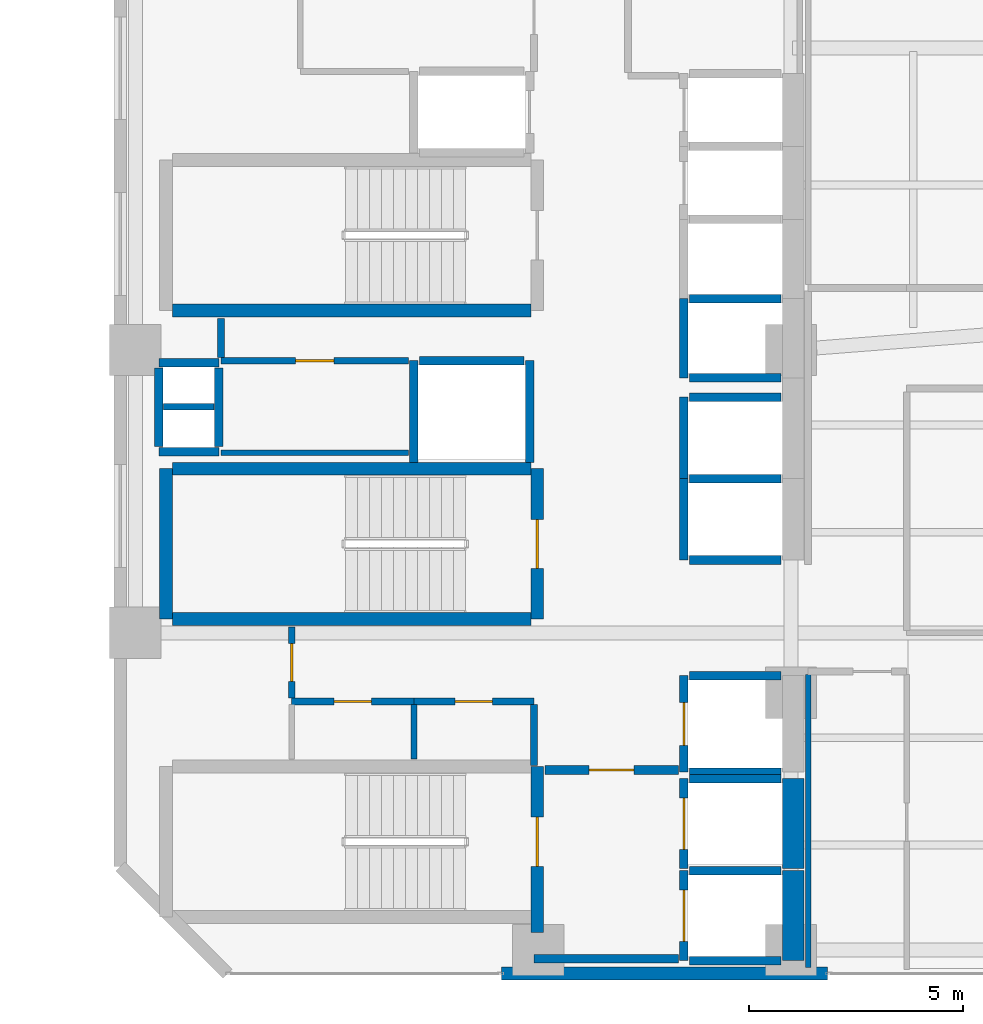
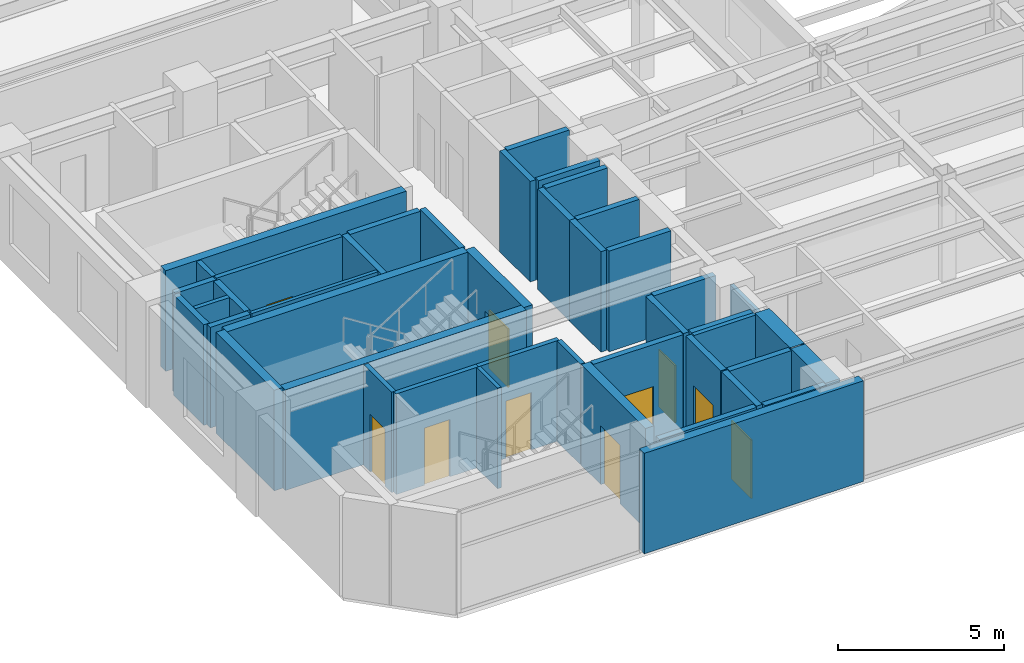
# One storey, part 9 of 15: 44 walls, 10 doors, 10 openings.
"""IFC4 building model written with IfcOpenShell, lengths in metres."""

from ifc_helpers import new_model, si_unit, direction, frame, frame_2d, origin, place, context, subcontext, project, spatial, rectangle, extrude, material, layer, layer_set, type_object, element, fill, save


model = new_model("IFC4")

# Units and contexts
model_context = context("Model", 3, precision=1e-05, world=origin(), true_north=direction((0.0, 1.0)))
body_context = subcontext(model_context, "Body", "Model", "MODEL_VIEW")
ifc_project = project(units=[si_unit("LENGTHUNIT", "METRE"), si_unit("AREAUNIT", "SQUARE_METRE"), si_unit("VOLUMEUNIT", "CUBIC_METRE"), si_unit("PLANEANGLEUNIT", "RADIAN"), si_unit("MASSUNIT", "GRAM", prefix="KILO")], contexts=[model_context])

# Site, building, storey
site_placement = place(None, origin())
site = spatial("IfcSite", under=ifc_project, at=site_placement, CompositionType="ELEMENT")
building_placement = place(site_placement, origin())
building = spatial("IfcBuilding", under=site, at=building_placement, Name="Mawjaban Terraces University", CompositionType="ELEMENT")
storey_placement = place(building_placement, frame((0.0, 0.0, 142.39990234375)))
storey = spatial("IfcBuildingStorey", under=building, at=storey_placement, Name="L34", CompositionType="ELEMENT", Elevation=142.39990234375)

# Walls
ifc_material_1 = material(Name="Concrete C60/75", Category="concrete")
ifc_layer_1 = layer(ifc_material_1, 0.5)
ifc_layer_set_1 = layer_set([ifc_layer_1], Name="Concrete C60/75")
wall_type_1 = type_object("IfcWallType", Name="CoreShearWall_500", PredefinedType="SHEAR", material=ifc_layer_set_1)
wall_1_placement = place(storey_placement, frame((37.699951171875, 0.300048828125, 0.0), z_axis=(0.0, 0.0, 1.0), x_axis=(0.0, 1.0, 0.0)))
element("IfcWall", 1, at=wall_1_placement, inside=storey, type_object=wall_type_1, Name="L34 Lift FL-1 Hoistway Wall East", PredefinedType="SHEAR", context=body_context, shape_type="SweptSolid", body=[
    extrude(rectangle(XDim=2.099853515625, YDim=0.5, at=frame_2d((1.0498046875, 0.0))), origin(), (0.0, 0.0, 1.0), 3.690185546875),
])
wall_2_placement = place(storey_placement, frame((37.699951171875, 2.449951171875, 0.0), z_axis=(0.0, 0.0, 1.0), x_axis=(0.0, 1.0, 0.0)))
element("IfcWall", 2, at=wall_2_placement, inside=storey, type_object=wall_type_1, Name="L34 Lift FL-2 Hoistway Wall East", PredefinedType="SHEAR", context=body_context, shape_type="SweptSolid", body=[
    extrude(rectangle(XDim=2.10009765625, YDim=0.5, at=frame_2d((1.050048828125, 0.0))), origin(), (0.0, 0.0, 1.0), 3.690185546875),
])

# Wall, opening, door
ifc_material_2 = material(Name="Fire-rated gypsum board on steel stud", Category="steel")
ifc_layer_2 = layer(ifc_material_2, 0.159912109375)
ifc_layer_set_2 = layer_set([ifc_layer_2], Name="Fire-rated gypsum board on steel stud")
wall_type_2 = type_object("IfcWallType", Name="CorridorPartition_160", PredefinedType="PARTITIONING", material=ifc_layer_set_2)
wall_3_placement = place(storey_placement, frame((24.35009765625, 14.300048828125, 0.0), z_axis=(0.0, 0.0, 1.0), x_axis=(1.0, 0.0, 0.0)))
wall_3 = element("IfcWall", 3, at=wall_3_placement, inside=storey, type_object=wall_type_2, Name="L34 Core Riser Access Passage Partition 2", PredefinedType="PARTITIONING", context=body_context, shape_type="SweptSolid", body=[
    extrude(rectangle(XDim=4.369873046875, YDim=0.159912109375, at=frame_2d((2.18505859375, 0.0))), origin(), (0.0, 0.0, 1.0), 3.690185546875),
])
opening_1_placement = place(wall_3_placement, frame((1.735107421875, 0.0, 0.0)))
opening_1 = element("IfcOpeningElement", 4, at=opening_1_placement, cuts=wall_3, Name="Opening ID-090", PredefinedType="OPENING", context=body_context, shape_type="SweptSolid", body=[
    extrude(rectangle(XDim=0.89990234375, YDim=2.10009765625, at=frame_2d((0.449951171875, 1.050048828125))), frame((0.0, 0.08984375, 0.0), z_axis=(0.0, -1.0, 0.0), x_axis=(1.0, 0.0, 0.0)), (0.0, 0.0, 1.0), 0.179931640625),
])
ifc_material_3 = material(Name="Powder-coated steel frame and solid acoustic timber leaf", Category="steel")
door_type_1 = type_object("IfcDoorType", Name="OfficeDoor_900x2100", OperationType="NOTDEFINED", PredefinedType="DOOR", material=ifc_material_3)
door_1_placement = place(opening_1_placement, origin())
door_1 = element("IfcDoor", 5, at=door_1_placement, inside=storey, type_object=door_type_1, Name="L34 Cleaner Store Door", OperationType="SINGLE_SWING_RIGHT", OverallHeight=2.10009765625, OverallWidth=0.89990234375, PredefinedType="DOOR", context=body_context, shape_type="SweptSolid", body=[
    extrude(rectangle(XDim=0.89990234375, YDim=2.10009765625, at=frame_2d((0.449951171875, 1.050048828125))), frame((0.0, 0.02490234375, 0.0), z_axis=(0.0, -1.0, 0.0), x_axis=(1.0, 0.0, 0.0)), (0.0, 0.0, 1.0), 0.050048828125),
])
fill(opening_1, door_1)

wall_4_placement = place(storey_placement, frame((26.0, 6.35009765625, 0.0), z_axis=(0.0, 0.0, 1.0), x_axis=(1.0, 0.0, 0.0)))
wall_4 = element("IfcWall", 6, at=wall_4_placement, inside=storey, type_object=wall_type_2, Name="L34 Core Washroom Lobby Partition 3", PredefinedType="PARTITIONING", context=body_context, shape_type="SweptSolid", body=[
    extrude(rectangle(XDim=2.85009765625, YDim=0.159912109375, at=frame_2d((1.425048828125, 0.0))), origin(), (0.0, 0.0, 1.0), 3.690185546875),
])
opening_2_placement = place(wall_4_placement, frame((0.985107421875, 0.0, 0.0)))
opening_2 = element("IfcOpeningElement", 7, at=opening_2_placement, cuts=wall_4, Name="Opening ID-088", PredefinedType="OPENING", context=body_context, shape_type="SweptSolid", body=[
    extrude(rectangle(XDim=0.8798828125, YDim=2.10009765625, at=frame_2d((0.43994140625, 1.050048828125))), frame((0.0, 0.08984375, 0.0), z_axis=(0.0, -1.0, 0.0), x_axis=(1.0, 0.0, 0.0)), (0.0, 0.0, 1.0), 0.179931640625),
])
door_type_2 = type_object("IfcDoorType", Name="ToiletDoor_880x2100", OperationType="NOTDEFINED", PredefinedType="DOOR", material=ifc_material_3)
door_2_placement = place(opening_2_placement, origin())
door_2 = element("IfcDoor", 8, at=door_2_placement, inside=storey, type_object=door_type_2, Name="L34 Male Toilet Door", OperationType="SINGLE_SWING_RIGHT", OverallHeight=2.10009765625, OverallWidth=0.8798828125, PredefinedType="DOOR", context=body_context, shape_type="SweptSolid", body=[
    extrude(rectangle(XDim=0.8798828125, YDim=2.10009765625, at=frame_2d((0.43994140625, 1.050048828125))), frame((0.0, 0.02490234375, 0.0), z_axis=(0.0, -1.0, 0.0), x_axis=(1.0, 0.0, 0.0)), (0.0, 0.0, 1.0), 0.050048828125),
])
fill(opening_2, door_2)

wall_5_placement = place(storey_placement, frame((28.85009765625, 6.35009765625, 0.0), z_axis=(0.0, 0.0, 1.0), x_axis=(1.0, 0.0, 0.0)))
wall_5 = element("IfcWall", 9, at=wall_5_placement, inside=storey, type_object=wall_type_2, Name="L34 Core Washroom Lobby Partition 6", PredefinedType="PARTITIONING", context=body_context, shape_type="SweptSolid", body=[
    extrude(rectangle(XDim=2.7998046875, YDim=0.159912109375, at=frame_2d((1.39990234375, 0.0))), origin(), (0.0, 0.0, 1.0), 3.690185546875),
])
opening_3_placement = place(wall_5_placement, frame((0.9599609375, 0.0, 0.0)))
opening_3 = element("IfcOpeningElement", 10, at=opening_3_placement, cuts=wall_5, Name="Opening ID-088", PredefinedType="OPENING", context=body_context, shape_type="SweptSolid", body=[
    extrude(rectangle(XDim=0.8798828125, YDim=2.10009765625, at=frame_2d((0.43994140625, 1.050048828125))), frame((0.0, 0.08984375, 0.0), z_axis=(0.0, -1.0, 0.0), x_axis=(1.0, 0.0, 0.0)), (0.0, 0.0, 1.0), 0.179931640625),
])
door_3_placement = place(opening_3_placement, origin())
door_3 = element("IfcDoor", 11, at=door_3_placement, inside=storey, type_object=door_type_2, Name="L34 Accessible Toilet Door", OperationType="SINGLE_SWING_LEFT", OverallHeight=2.10009765625, OverallWidth=0.8798828125, PredefinedType="DOOR", context=body_context, shape_type="SweptSolid", body=[
    extrude(rectangle(XDim=0.8798828125, YDim=2.10009765625, at=frame_2d((0.43994140625, 1.050048828125))), frame((0.0, 0.02490234375, 0.0), z_axis=(0.0, -1.0, 0.0), x_axis=(1.0, 0.0, 0.0)), (0.0, 0.0, 1.0), 0.050048828125),
])
fill(opening_3, door_3)

# Wall
wall_6_placement = place(storey_placement, frame((24.35009765625, 15.2900390625, 0.0), z_axis=(0.0, 0.0, 1.0), x_axis=(0.0, -1.0, 0.0)))
element("IfcWall", 12, at=wall_6_placement, inside=storey, type_object=wall_type_2, Name="L34 Core Riser Access Passage Partition 22", PredefinedType="PARTITIONING", context=body_context, shape_type="SweptSolid", body=[
    extrude(rectangle(XDim=0.9150390625, YDim=0.159912109375, at=frame_2d((0.45751953125, 0.0))), origin(), (0.0, 0.0, 1.0), 3.690185546875),
])

# Wall, opening, door
wall_7_placement = place(storey_placement, frame((26.0, 8.090087890625, 0.0), z_axis=(0.0, 0.0, 1.0), x_axis=(0.0, -1.0, 0.0)))
wall_7 = element("IfcWall", 13, at=wall_7_placement, inside=storey, type_object=wall_type_2, Name="L34 Core Washroom Lobby Partition 24", PredefinedType="PARTITIONING", context=body_context, shape_type="SweptSolid", body=[
    extrude(rectangle(XDim=1.6650390625, YDim=0.159912109375, at=frame_2d((0.83251953125, 0.0))), origin(), (0.0, 0.0, 1.0), 3.690185546875),
])
opening_4_placement = place(wall_7_placement, frame((0.39306640625, 0.0, 0.0)))
opening_4 = element("IfcOpeningElement", 14, at=opening_4_placement, cuts=wall_7, Name="Opening ID-088", PredefinedType="OPENING", context=body_context, shape_type="SweptSolid", body=[
    extrude(rectangle(XDim=0.8798828125, YDim=2.10009765625, at=frame_2d((0.43994140625, 1.050048828125))), frame((0.0, 0.08984375, 0.0), z_axis=(0.0, -1.0, 0.0), x_axis=(1.0, 0.0, 0.0)), (0.0, 0.0, 1.0), 0.179931640625),
])
door_4_placement = place(opening_4_placement, origin())
door_4 = element("IfcDoor", 15, at=door_4_placement, inside=storey, type_object=door_type_2, Name="L34 Ablution Room Door", OperationType="SINGLE_SWING_LEFT", OverallHeight=2.10009765625, OverallWidth=0.8798828125, PredefinedType="DOOR", context=body_context, shape_type="SweptSolid", body=[
    extrude(rectangle(XDim=0.8798828125, YDim=2.10009765625, at=frame_2d((0.43994140625, 1.050048828125))), frame((0.0, 0.02490234375, 0.0), z_axis=(0.0, -1.0, 0.0), x_axis=(1.0, 0.0, 0.0)), (0.0, 0.0, 1.0), 0.050048828125),
])
fill(opening_4, door_4)

# Walls
wall_8_placement = place(storey_placement, frame((31.64990234375, 4.860107421875, 0.0), z_axis=(0.0, 0.0, 1.0), x_axis=(0.0, 1.0, 0.0)))
element("IfcWall", 16, at=wall_8_placement, inside=storey, type_object=wall_type_2, Name="L34 Accessible Toilet Partition 27", PredefinedType="PARTITIONING", context=body_context, shape_type="SweptSolid", body=[
    extrude(rectangle(XDim=1.414794921875, YDim=0.159912109375, at=frame_2d((0.70751953125, 0.0))), origin(), (0.0, 0.0, 1.0), 3.690185546875),
])
ifc_material_4 = material(Name="Insulated terracotta rainscreen on concrete backup C40/50", Category="masonry")
ifc_layer_3 = layer(ifc_material_4, 0.300048828125)
ifc_layer_set_3 = layer_set([ifc_layer_3], Name="Insulated terracotta rainscreen on concrete backup C40/50")
wall_type_3 = type_object("IfcWallType", Name="ExtTerracottaWall_300", PredefinedType="SOLIDWALL", material=ifc_layer_set_3)
wall_9_placement = place(storey_placement, frame((30.89990234375, 0.0, 0.0), z_axis=(0.0, 0.0, 1.0), x_axis=(1.0, 0.0, 0.0)))
element("IfcWall", 17, at=wall_9_placement, inside=storey, type_object=wall_type_3, Name="L34 Exterior Terracotta Pier Wall 1.1", PredefinedType="SOLIDWALL", context=body_context, shape_type="SweptSolid", body=[
    extrude(rectangle(XDim=7.60009765625, YDim=0.300048828125, at=frame_2d((3.800048828125, 0.0))), origin(), (0.0, 0.0, 1.0), 3.690185546875),
])

# Wall, opening, door
ifc_material_5 = material(Name="Concrete C40/50", Category="concrete")
ifc_layer_4 = layer(ifc_material_5, 0.199951171875)
ifc_layer_set_4 = layer_set([ifc_layer_4], Name="Concrete C40/50")
wall_type_4 = type_object("IfcWallType", Name="FireLobbyWall_200", PredefinedType="SOLIDWALL", material=ifc_layer_set_4)
wall_10_placement = place(storey_placement, frame((35.14990234375, 2.39990234375, 0.0), z_axis=(0.0, 0.0, 1.0), x_axis=(0.0, -1.0, 0.0)))
wall_10 = element("IfcWall", 18, at=wall_10_placement, inside=storey, type_object=wall_type_4, Name="L34 Lift FL-1 Hoistway Wall West", PredefinedType="SOLIDWALL", context=body_context, shape_type="SweptSolid", body=[
    extrude(rectangle(XDim=2.099853515625, YDim=0.199951171875, at=frame_2d((1.0498046875, 0.0))), origin(), (0.0, 0.0, 1.0), 3.690185546875),
])
opening_5_placement = place(wall_10_placement, frame((0.449951171875, 0.0, 0.0)))
opening_5 = element("IfcOpeningElement", 19, at=opening_5_placement, cuts=wall_10, Name="Opening LD-FL-1", PredefinedType="OPENING", context=body_context, shape_type="SweptSolid", body=[
    extrude(rectangle(XDim=1.199951171875, YDim=2.14990234375, at=frame_2d((0.60009765625, 1.074951171875))), frame((0.0, 0.10986328125, 0.0), z_axis=(0.0, -1.0, 0.0), x_axis=(1.0, 0.0, 0.0)), (0.0, 0.0, 1.0), 0.219970703125),
])
ifc_material_6 = material(Name="Powder-coated steel frame and fire-rated steel-faced leaf", Category="steel")
door_type_3 = type_object("IfcDoorType", Name="LiftLandingFSAE_1200x2150", OperationType="NOTDEFINED", PredefinedType="DOOR", material=ifc_material_6)
door_5_placement = place(opening_5_placement, origin())
door_5 = element("IfcDoor", 20, at=door_5_placement, inside=storey, type_object=door_type_3, Name="L34 Lift FL-1 Sliding Landing Door", OperationType="DOUBLE_DOOR_SLIDING", OverallHeight=2.14990234375, OverallWidth=1.199951171875, PredefinedType="DOOR", context=body_context, shape_type="SweptSolid", body=[
    extrude(rectangle(XDim=1.199951171875, YDim=2.14990234375, at=frame_2d((0.60009765625, 1.074951171875))), frame((0.0, 0.02490234375, 0.0), z_axis=(0.0, -1.0, 0.0), x_axis=(1.0, 0.0, 0.0)), (0.0, 0.0, 1.0), 0.050048828125),
])
fill(opening_5, door_5)

# Walls
for number, where, z_axis, x_axis, name in (
    (21, (35.280029296875, 0.300048828125, 0.0), (0.0, 0.0, 1.0), (1.0, 0.0, 0.0), "L34 Lift FL-1 Hoistway Wall South"),
    (22, (37.419921875, 2.39990234375, 0.0), (0.0, 0.0, 1.0), (-1.0, 0.0, 0.0), "L34 Lift FL-1 Hoistway Wall North"),
):
    element("IfcWall", number, at=place(storey_placement, frame(where, z_axis=z_axis, x_axis=x_axis)), inside=storey, type_object=wall_type_4, Name=name, PredefinedType="SOLIDWALL", context=body_context, shape_type="SweptSolid", body=[
        extrude(rectangle(XDim=2.139892578125, YDim=0.199951171875, at=frame_2d((1.06982421875, 0.0))), origin(), (0.0, 0.0, 1.0), 3.690185546875),
    ])

# Wall, opening, door
wall_11_placement = place(storey_placement, frame((35.14990234375, 4.550048828125, 0.0), z_axis=(0.0, 0.0, 1.0), x_axis=(0.0, -1.0, 0.0)))
wall_11 = element("IfcWall", 23, at=wall_11_placement, inside=storey, type_object=wall_type_4, Name="L34 Lift FL-2 Hoistway Wall West", PredefinedType="SOLIDWALL", context=body_context, shape_type="SweptSolid", body=[
    extrude(rectangle(XDim=2.10009765625, YDim=0.199951171875, at=frame_2d((1.050048828125, 0.0))), origin(), (0.0, 0.0, 1.0), 3.690185546875),
])
opening_6_placement = place(wall_11_placement, frame((0.449951171875, 0.0, 0.0)))
opening_6 = element("IfcOpeningElement", 24, at=opening_6_placement, cuts=wall_11, Name="Opening LD-FL-2", PredefinedType="OPENING", context=body_context, shape_type="SweptSolid", body=[
    extrude(rectangle(XDim=1.199951171875, YDim=2.14990234375, at=frame_2d((0.60009765625, 1.074951171875))), frame((0.0, 0.10986328125, 0.0), z_axis=(0.0, -1.0, 0.0), x_axis=(1.0, 0.0, 0.0)), (0.0, 0.0, 1.0), 0.219970703125),
])
door_6_placement = place(opening_6_placement, origin())
door_6 = element("IfcDoor", 25, at=door_6_placement, inside=storey, type_object=door_type_3, Name="L34 Lift FL-2 Sliding Landing Door", OperationType="DOUBLE_DOOR_SLIDING", OverallHeight=2.14990234375, OverallWidth=1.199951171875, PredefinedType="DOOR", context=body_context, shape_type="SweptSolid", body=[
    extrude(rectangle(XDim=1.199951171875, YDim=2.14990234375, at=frame_2d((0.60009765625, 1.074951171875))), frame((0.0, 0.02490234375, 0.0), z_axis=(0.0, -1.0, 0.0), x_axis=(1.0, 0.0, 0.0)), (0.0, 0.0, 1.0), 0.050048828125),
])
fill(opening_6, door_6)

# Wall
wall_12_placement = place(storey_placement, frame((37.419921875, 4.550048828125, 0.0), z_axis=(0.0, 0.0, 1.0), x_axis=(-1.0, 0.0, 0.0)))
element("IfcWall", 26, at=wall_12_placement, inside=storey, type_object=wall_type_4, Name="L34 Lift FL-2 Hoistway Wall North", PredefinedType="SOLIDWALL", context=body_context, shape_type="SweptSolid", body=[
    extrude(rectangle(XDim=2.139892578125, YDim=0.199951171875, at=frame_2d((1.06982421875, 0.0))), origin(), (0.0, 0.0, 1.0), 3.690185546875),
])

# Wall, opening, door
wall_13_placement = place(storey_placement, frame((35.14990234375, 6.949951171875, 0.0), z_axis=(0.0, 0.0, 1.0), x_axis=(0.0, -1.0, 0.0)))
wall_13 = element("IfcWall", 27, at=wall_13_placement, inside=storey, type_object=wall_type_4, Name="L34 Lift SL-1 Hoistway Wall West", PredefinedType="SOLIDWALL", context=body_context, shape_type="SweptSolid", body=[
    extrude(rectangle(XDim=2.25, YDim=0.199951171875, at=frame_2d((1.125, 0.0))), origin(), (0.0, 0.0, 1.0), 3.690185546875),
])
opening_7_placement = place(wall_13_placement, frame((0.625, 0.0, 0.0)))
opening_7 = element("IfcOpeningElement", 28, at=opening_7_placement, cuts=wall_13, Name="Opening LD-SL-1", PredefinedType="OPENING", context=body_context, shape_type="SweptSolid", body=[
    extrude(rectangle(XDim=1.0, YDim=2.10009765625, at=frame_2d((0.5, 1.050048828125))), frame((0.0, 0.10986328125, 0.0), z_axis=(0.0, -1.0, 0.0), x_axis=(1.0, 0.0, 0.0)), (0.0, 0.0, 1.0), 0.219970703125),
])
door_type_4 = type_object("IfcDoorType", Name="LiftLandingSliding_1000x2100", OperationType="NOTDEFINED", PredefinedType="DOOR", material=ifc_material_6)
door_7_placement = place(opening_7_placement, origin())
door_7 = element("IfcDoor", 29, at=door_7_placement, inside=storey, type_object=door_type_4, Name="L34 Lift SL-1 Sliding Landing Door", OperationType="DOUBLE_DOOR_SLIDING", OverallHeight=2.10009765625, OverallWidth=1.0, PredefinedType="DOOR", context=body_context, shape_type="SweptSolid", body=[
    extrude(rectangle(XDim=1.0, YDim=2.10009765625, at=frame_2d((0.5, 1.050048828125))), frame((0.0, 0.02490234375, 0.0), z_axis=(0.0, -1.0, 0.0), x_axis=(1.0, 0.0, 0.0)), (0.0, 0.0, 1.0), 0.050048828125),
])
fill(opening_7, door_7)

# Walls
for number, where, z_axis, x_axis, name in (
    (30, (35.280029296875, 4.699951171875, 0.0), (0.0, 0.0, 1.0), (1.0, 0.0, 0.0), "L34 Lift SL-1 Hoistway Wall South"),
    (31, (37.419921875, 6.949951171875, 0.0), (0.0, 0.0, 1.0), (-1.0, 0.0, 0.0), "L34 Lift SL-1 Hoistway Wall North"),
):
    element("IfcWall", number, at=place(storey_placement, frame(where, z_axis=z_axis, x_axis=x_axis)), inside=storey, type_object=wall_type_4, Name=name, PredefinedType="SOLIDWALL", context=body_context, shape_type="SweptSolid", body=[
        extrude(rectangle(XDim=2.139892578125, YDim=0.199951171875, at=frame_2d((1.06982421875, 0.0))), origin(), (0.0, 0.0, 1.0), 3.690185546875),
    ])
wall_14_placement = place(storey_placement, frame((35.14990234375, 11.550048828125, 0.0), z_axis=(0.0, 0.0, 1.0), x_axis=(0.0, -1.0, 0.0)))
element("IfcWall", 32, at=wall_14_placement, inside=storey, type_object=wall_type_4, Name="L34 Lift PL-H1 Hoistway Wall West", PredefinedType="SOLIDWALL", context=body_context, shape_type="SweptSolid", body=[
    extrude(rectangle(XDim=1.900146484375, YDim=0.199951171875, at=frame_2d((0.9501953125, 0.0))), origin(), (0.0, 0.0, 1.0), 3.690185546875),
])
for number, where, z_axis, x_axis, name in (
    (33, (35.280029296875, 9.64990234375, 0.0), (0.0, 0.0, 1.0), (1.0, 0.0, 0.0), "L34 Lift PL-H1 Hoistway Wall South"),
    (34, (37.419921875, 11.550048828125, 0.0), (0.0, 0.0, 1.0), (-1.0, 0.0, 0.0), "L34 Lift PL-H1 Hoistway Wall North"),
):
    element("IfcWall", number, at=place(storey_placement, frame(where, z_axis=z_axis, x_axis=x_axis)), inside=storey, type_object=wall_type_4, Name=name, PredefinedType="SOLIDWALL", context=body_context, shape_type="SweptSolid", body=[
        extrude(rectangle(XDim=2.139892578125, YDim=0.199951171875, at=frame_2d((1.06982421875, 0.0))), origin(), (0.0, 0.0, 1.0), 3.690185546875),
    ])
wall_15_placement = place(storey_placement, frame((35.14990234375, 13.449951171875, 0.0), z_axis=(0.0, 0.0, 1.0), x_axis=(0.0, -1.0, 0.0)))
element("IfcWall", 35, at=wall_15_placement, inside=storey, type_object=wall_type_4, Name="L34 Lift PL-H2 Hoistway Wall West", PredefinedType="SOLIDWALL", context=body_context, shape_type="SweptSolid", body=[
    extrude(rectangle(XDim=1.89990234375, YDim=0.199951171875, at=frame_2d((0.949951171875, 0.0))), origin(), (0.0, 0.0, 1.0), 3.690185546875),
])
wall_16_placement = place(storey_placement, frame((37.419921875, 13.449951171875, 0.0), z_axis=(0.0, 0.0, 1.0), x_axis=(-1.0, 0.0, 0.0)))
element("IfcWall", 36, at=wall_16_placement, inside=storey, type_object=wall_type_4, Name="L34 Lift PL-H2 Hoistway Wall North", PredefinedType="SOLIDWALL", context=body_context, shape_type="SweptSolid", body=[
    extrude(rectangle(XDim=2.139892578125, YDim=0.199951171875, at=frame_2d((1.06982421875, 0.0))), origin(), (0.0, 0.0, 1.0), 3.690185546875),
])
for number, where, z_axis, x_axis, name in (
    (37, (28.85009765625, 14.300048828125, 0.0), (0.0, 0.0, 1.0), (0.0, -1.0, 0.0), "L34 Lift PL-H3 Hoistway Wall West"),
    (38, (31.550048828125, 11.929931640625, 0.0), (0.0, 0.0, 1.0), (0.0, 1.0, 0.0), "L34 Lift PL-H3 Hoistway Wall East"),
):
    element("IfcWall", number, at=place(storey_placement, frame(where, z_axis=z_axis, x_axis=x_axis)), inside=storey, type_object=wall_type_4, Name=name, PredefinedType="SOLIDWALL", context=body_context, shape_type="SweptSolid", body=[
        extrude(rectangle(XDim=2.3701171875, YDim=0.199951171875, at=frame_2d((1.18505859375, 0.0))), origin(), (0.0, 0.0, 1.0), 3.690185546875),
    ])
wall_17_placement = place(storey_placement, frame((31.419921875, 14.300048828125, 0.0), z_axis=(0.0, 0.0, 1.0), x_axis=(-1.0, 0.0, 0.0)))
element("IfcWall", 39, at=wall_17_placement, inside=storey, type_object=wall_type_4, Name="L34 Lift PL-H3 Hoistway Wall North", PredefinedType="SOLIDWALL", context=body_context, shape_type="SweptSolid", body=[
    extrude(rectangle(XDim=2.43994140625, YDim=0.199951171875, at=frame_2d((1.219970703125, 0.0))), origin(), (0.0, 0.0, 1.0), 3.690185546875),
])
wall_18_placement = place(storey_placement, frame((35.14990234375, 15.75, 0.0), z_axis=(0.0, 0.0, 1.0), x_axis=(0.0, -1.0, 0.0)))
element("IfcWall", 40, at=wall_18_placement, inside=storey, type_object=wall_type_4, Name="L34 Lift OL-1 Hoistway Wall West", PredefinedType="SOLIDWALL", context=body_context, shape_type="SweptSolid", body=[
    extrude(rectangle(XDim=1.85009765625, YDim=0.199951171875, at=frame_2d((0.925048828125, 0.0))), origin(), (0.0, 0.0, 1.0), 3.690185546875),
])
for number, where, z_axis, x_axis, name in (
    (41, (35.280029296875, 13.89990234375, 0.0), (0.0, 0.0, 1.0), (1.0, 0.0, 0.0), "L34 Lift OL-1 Hoistway Wall South"),
    (42, (37.419921875, 15.75, 0.0), (0.0, 0.0, 1.0), (-1.0, 0.0, 0.0), "L34 Lift OL-1 Hoistway Wall North"),
):
    element("IfcWall", number, at=place(storey_placement, frame(where, z_axis=z_axis, x_axis=x_axis)), inside=storey, type_object=wall_type_4, Name=name, PredefinedType="SOLIDWALL", context=body_context, shape_type="SweptSolid", body=[
        extrude(rectangle(XDim=2.139892578125, YDim=0.199951171875, at=frame_2d((1.06982421875, 0.0))), origin(), (0.0, 0.0, 1.0), 3.690185546875),
    ])
for number, where, z_axis, x_axis, name in (
    (43, (22.89990234375, 14.25, 0.0), (0.0, 0.0, 1.0), (1.0, 0.0, 0.0), "L34 MEP Riser Shaft Wall N"),
    (44, (22.89990234375, 12.179931640625, 0.0), (0.0, 0.0, 1.0), (1.0, 0.0, 0.0), "L34 MEP Riser Shaft Wall S"),
):
    element("IfcWall", number, at=place(storey_placement, frame(where, z_axis=z_axis, x_axis=x_axis)), inside=storey, type_object=wall_type_4, Name=name, PredefinedType="SOLIDWALL", context=body_context, shape_type="SweptSolid", body=[
        extrude(rectangle(XDim=1.400146484375, YDim=0.199951171875, at=frame_2d((0.7001953125, 0.0))), origin(), (0.0, 0.0, 1.0), 3.690185546875),
    ])
for number, where, z_axis, x_axis, name in (
    (45, (24.300048828125, 12.300048828125, 0.0), (0.0, 0.0, 1.0), (0.0, 1.0, 0.0), "L34 MEP Riser Shaft Wall E"),
    (46, (22.89990234375, 12.300048828125, 0.0), (0.0, 0.0, 1.0), (0.0, 1.0, 0.0), "L34 MEP Riser Shaft Wall W"),
):
    element("IfcWall", number, at=place(storey_placement, frame(where, z_axis=z_axis, x_axis=x_axis)), inside=storey, type_object=wall_type_4, Name=name, PredefinedType="SOLIDWALL", context=body_context, shape_type="SweptSolid", body=[
        extrude(rectangle(XDim=1.829833984375, YDim=0.199951171875, at=frame_2d((0.9150390625, 0.0))), origin(), (0.0, 0.0, 1.0), 3.690185546875),
    ])
wall_19_placement = place(storey_placement, frame((31.64990234375, 0.35009765625, 0.0), z_axis=(0.0, 0.0, 1.0), x_axis=(1.0, 0.0, 0.0)))
element("IfcWall", 47, at=wall_19_placement, inside=storey, type_object=wall_type_4, Name="L34 Firefighting Lift Lobby Partition 7", PredefinedType="SOLIDWALL", context=body_context, shape_type="SweptSolid", body=[
    extrude(rectangle(XDim=3.3701171875, YDim=0.199951171875, at=frame_2d((1.68505859375, 0.0))), origin(), (0.0, 0.0, 1.0), 3.690185546875),
])

# Wall, opening, door
wall_20_placement = place(storey_placement, frame((35.02001953125, 4.75, 0.0), z_axis=(0.0, 0.0, 1.0), x_axis=(-1.0, 0.0, 0.0)))
wall_20 = element("IfcWall", 48, at=wall_20_placement, inside=storey, type_object=wall_type_4, Name="L34 Firefighting Lift Lobby Partition 9", PredefinedType="SOLIDWALL", context=body_context, shape_type="SweptSolid", body=[
    extrude(rectangle(XDim=3.110107421875, YDim=0.199951171875, at=frame_2d((1.55517578125, 0.0))), origin(), (0.0, 0.0, 1.0), 3.690185546875),
])
opening_8_placement = place(wall_20_placement, frame((1.030029296875, 0.0, 0.0)))
opening_8 = element("IfcOpeningElement", 49, at=opening_8_placement, cuts=wall_20, Name="Opening FD-105", PredefinedType="OPENING", context=body_context, shape_type="SweptSolid", body=[
    extrude(rectangle(XDim=1.050048828125, YDim=2.14990234375, at=frame_2d((0.52490234375, 1.074951171875))), frame((0.0, 0.10986328125, 0.0), z_axis=(0.0, -1.0, 0.0), x_axis=(1.0, 0.0, 0.0)), (0.0, 0.0, 1.0), 0.219970703125),
])
door_type_5 = type_object("IfcDoorType", Name="FireLobbyDoor_1050x2150", OperationType="NOTDEFINED", PredefinedType="DOOR", material=ifc_material_6)
door_8_placement = place(opening_8_placement, origin())
door_8 = element("IfcDoor", 50, at=door_8_placement, inside=storey, type_object=door_type_5, Name="L34 Firefighting Lift Lobby Door", OperationType="SINGLE_SWING_RIGHT", OverallHeight=2.14990234375, OverallWidth=1.050048828125, PredefinedType="DOOR", context=body_context, shape_type="SweptSolid", body=[
    extrude(rectangle(XDim=1.050048828125, YDim=2.14990234375, at=frame_2d((0.52490234375, 1.074951171875))), frame((0.0, 0.02490234375, 0.0), z_axis=(0.0, -1.0, 0.0), x_axis=(1.0, 0.0, 0.0)), (0.0, 0.0, 1.0), 0.050048828125),
])
fill(opening_8, door_8)

# Walls
ifc_material_7 = material(Name="Moisture-resistant gypsum board on steel stud", Category="steel")
ifc_layer_5 = layer(ifc_material_7, 0.14501953125)
ifc_layer_set_5 = layer_set([ifc_layer_5], Name="Moisture-resistant gypsum board on steel stud")
wall_type_5 = type_object("IfcWallType", Name="LabPartition_145", PredefinedType="PARTITIONING", material=ifc_layer_set_5)
wall_21_placement = place(storey_placement, frame((23.010009765625, 13.22509765625, 0.0), z_axis=(0.0, 0.0, 1.0), x_axis=(1.0, 0.0, 0.0)))
element("IfcWall", 51, at=wall_21_placement, inside=storey, type_object=wall_type_5, Name="L34 MEP Riser Shaft Wall M", PredefinedType="PARTITIONING", context=body_context, shape_type="SweptSolid", body=[
    extrude(rectangle(XDim=1.179931640625, YDim=0.14501953125, at=frame_2d((0.58984375, 0.0))), origin(), (0.0, 0.0, 1.0), 3.690185546875),
])
ifc_material_8 = material(Name="Gypsum plasterboard on steel stud", Category="steel")
ifc_layer_6 = layer(ifc_material_8, 0.125)
ifc_layer_set_6 = layer_set([ifc_layer_6], Name="Gypsum plasterboard on steel stud")
wall_type_6 = type_object("IfcWallType", Name="OfficePartition_125", PredefinedType="PARTITIONING", material=ifc_layer_set_6)
wall_22_placement = place(storey_placement, frame((24.35009765625, 12.14990234375, 0.0), z_axis=(0.0, 0.0, 1.0), x_axis=(1.0, 0.0, 0.0)))
element("IfcWall", 52, at=wall_22_placement, inside=storey, type_object=wall_type_6, Name="L34 Cleaner Store Partition 1", PredefinedType="PARTITIONING", context=body_context, shape_type="SweptSolid", body=[
    extrude(rectangle(XDim=4.369873046875, YDim=0.125, at=frame_2d((2.18505859375, 0.0))), origin(), (0.0, 0.0, 1.0), 3.690185546875),
])
wall_23_placement = place(storey_placement, frame((38.050048828125, 6.97509765625, 0.0), z_axis=(0.0, 0.0, 1.0), x_axis=(0.0, -1.0, 0.0)))
element("IfcWall", 53, at=wall_23_placement, inside=storey, type_object=wall_type_6, Name="L34 Collaborative Study Room 1 Partition 32", PredefinedType="PARTITIONING", context=body_context, shape_type="SweptSolid", body=[
    extrude(rectangle(XDim=6.830078125, YDim=0.125, at=frame_2d((3.4150390625, 0.0))), origin(), (0.0, 0.0, 1.0), 3.07421875),
])

# Wall, opening, door
ifc_layer_7 = layer(ifc_material_1, 0.300048828125)
ifc_layer_set_7 = layer_set([ifc_layer_7], Name="Concrete C60/75")
wall_type_7 = type_object("IfcWallType", Name="StairShaftWall_300", PredefinedType="SHEAR", material=ifc_layer_set_7)
wall_24_placement = place(storey_placement, frame((31.72998046875, 0.9599609375, 0.0), z_axis=(0.0, 0.0, 1.0), x_axis=(0.0, 1.0, 0.0)))
wall_24 = element("IfcWall", 54, at=wall_24_placement, inside=storey, type_object=wall_type_7, Name="L34 ST-1 Stair Shaft Wall 4", PredefinedType="SHEAR", context=body_context, shape_type="SweptSolid", body=[
    extrude(rectangle(XDim=3.8701171875, YDim=0.300048828125, at=frame_2d((1.93505859375, 0.0))), origin(), (0.0, 0.0, 1.0), 3.690185546875),
])
opening_9_placement = place(wall_24_placement, frame((1.5400390625, 0.0, 0.0)))
opening_9 = element("IfcOpeningElement", 55, at=opening_9_placement, cuts=wall_24, Name="Opening FD-115", PredefinedType="OPENING", context=body_context, shape_type="SweptSolid", body=[
    extrude(rectangle(XDim=1.14990234375, YDim=2.14990234375, at=frame_2d((0.574951171875, 1.074951171875))), frame((0.0, 0.159912109375, 0.0), z_axis=(0.0, -1.0, 0.0), x_axis=(1.0, 0.0, 0.0)), (0.0, 0.0, 1.0), 0.320068359375),
])
door_type_6 = type_object("IfcDoorType", Name="FireStairDoor_1150x2150", OperationType="NOTDEFINED", PredefinedType="DOOR", material=ifc_material_6)
door_9_placement = place(opening_9_placement, origin())
door_9 = element("IfcDoor", 56, at=door_9_placement, inside=storey, type_object=door_type_6, Name="L34 ST-1 Pressurised Stair Fire Door", OperationType="SINGLE_SWING_LEFT", OverallHeight=2.14990234375, OverallWidth=1.14990234375, PredefinedType="DOOR", context=body_context, shape_type="SweptSolid", body=[
    extrude(rectangle(XDim=1.14990234375, YDim=2.14990234375, at=frame_2d((0.574951171875, 1.074951171875))), frame((0.0, 0.02490234375, 0.0), z_axis=(0.0, -1.0, 0.0), x_axis=(1.0, 0.0, 0.0)), (0.0, 0.0, 1.0), 0.050048828125),
])
fill(opening_9, door_9)

# Walls
for number, where, z_axis, x_axis, name in (
    (57, (23.219970703125, 15.469970703125, 0.0), (0.0, 0.0, 1.0), (1.0, 0.0, 0.0), "L34 ST-2 Stair Shaft Wall 3"),
    (58, (31.580078125, 11.780029296875, 0.0), (0.0, 0.0, 1.0), (-1.0, 0.0, 0.0), "L34 ST-3 Stair Shaft Wall 1"),
):
    element("IfcWall", number, at=place(storey_placement, frame(where, z_axis=z_axis, x_axis=x_axis)), inside=storey, type_object=wall_type_7, Name=name, PredefinedType="SHEAR", context=body_context, shape_type="SweptSolid", body=[
        extrude(rectangle(XDim=8.360107421875, YDim=0.300048828125, at=frame_2d((4.18017578125, 0.0))), origin(), (0.0, 0.0, 1.0), 3.690185546875),
    ])
wall_25_placement = place(storey_placement, frame((23.070068359375, 11.780029296875, 0.0), z_axis=(0.0, 0.0, 1.0), x_axis=(0.0, -1.0, 0.0)))
element("IfcWall", 59, at=wall_25_placement, inside=storey, type_object=wall_type_7, Name="L34 ST-3 Stair Shaft Wall 2", PredefinedType="SHEAR", context=body_context, shape_type="SweptSolid", body=[
    extrude(rectangle(XDim=3.510009765625, YDim=0.300048828125, at=frame_2d((1.7548828125, 0.0))), origin(), (0.0, 0.0, 1.0), 3.690185546875),
])
wall_26_placement = place(storey_placement, frame((23.219970703125, 8.27001953125, 0.0), z_axis=(0.0, 0.0, 1.0), x_axis=(1.0, 0.0, 0.0)))
element("IfcWall", 60, at=wall_26_placement, inside=storey, type_object=wall_type_7, Name="L34 ST-3 Stair Shaft Wall 3", PredefinedType="SHEAR", context=body_context, shape_type="SweptSolid", body=[
    extrude(rectangle(XDim=8.360107421875, YDim=0.300048828125, at=frame_2d((4.18017578125, 0.0))), origin(), (0.0, 0.0, 1.0), 3.690185546875),
])

# Wall, opening, door
wall_27_placement = place(storey_placement, frame((31.72998046875, 8.27001953125, 0.0), z_axis=(0.0, 0.0, 1.0), x_axis=(0.0, 1.0, 0.0)))
wall_27 = element("IfcWall", 61, at=wall_27_placement, inside=storey, type_object=wall_type_7, Name="L34 ST-3 Stair Shaft Wall 4", PredefinedType="SHEAR", context=body_context, shape_type="SweptSolid", body=[
    extrude(rectangle(XDim=3.510009765625, YDim=0.300048828125, at=frame_2d((1.7548828125, 0.0))), origin(), (0.0, 0.0, 1.0), 3.690185546875),
])
opening_10_placement = place(wall_27_placement, frame((1.179931640625, 0.0, 0.0)))
opening_10 = element("IfcOpeningElement", 62, at=opening_10_placement, cuts=wall_27, Name="Opening FD-115", PredefinedType="OPENING", context=body_context, shape_type="SweptSolid", body=[
    extrude(rectangle(XDim=1.14990234375, YDim=2.14990234375, at=frame_2d((0.574951171875, 1.074951171875))), frame((0.0, 0.159912109375, 0.0), z_axis=(0.0, -1.0, 0.0), x_axis=(1.0, 0.0, 0.0)), (0.0, 0.0, 1.0), 0.320068359375),
])
door_10_placement = place(opening_10_placement, origin())
door_10 = element("IfcDoor", 63, at=door_10_placement, inside=storey, type_object=door_type_6, Name="L34 ST-3 Pressurised Stair Fire Door", OperationType="SINGLE_SWING_LEFT", OverallHeight=2.14990234375, OverallWidth=1.14990234375, PredefinedType="DOOR", context=body_context, shape_type="SweptSolid", body=[
    extrude(rectangle(XDim=1.14990234375, YDim=2.14990234375, at=frame_2d((0.574951171875, 1.074951171875))), frame((0.0, 0.02490234375, 0.0), z_axis=(0.0, -1.0, 0.0), x_axis=(1.0, 0.0, 0.0)), (0.0, 0.0, 1.0), 0.050048828125),
])
fill(opening_10, door_10)

# Wall
ifc_material_9 = material(Name="Cement-board wet-room partition", Category="masonry")
ifc_layer_8 = layer(ifc_material_9, 0.135009765625)
ifc_layer_set_8 = layer_set([ifc_layer_8], Name="Cement-board wet-room partition")
wall_type_8 = type_object("IfcWallType", Name="WetRoomPartition_135", PredefinedType="PARTITIONING", material=ifc_layer_set_8)
wall_28_placement = place(storey_placement, frame((28.85009765625, 5.010009765625, 0.0), z_axis=(0.0, 0.0, 1.0), x_axis=(0.0, 1.0, 0.0)))
element("IfcWall", 64, at=wall_28_placement, inside=storey, type_object=wall_type_8, Name="L34 Male Toilet Partition 26", PredefinedType="PARTITIONING", context=body_context, shape_type="SweptSolid", body=[
    extrude(rectangle(XDim=1.264892578125, YDim=0.135009765625, at=frame_2d((0.63232421875, 0.0))), origin(), (0.0, 0.0, 1.0), 3.690185546875),
])

save(model, "model.ifc")
